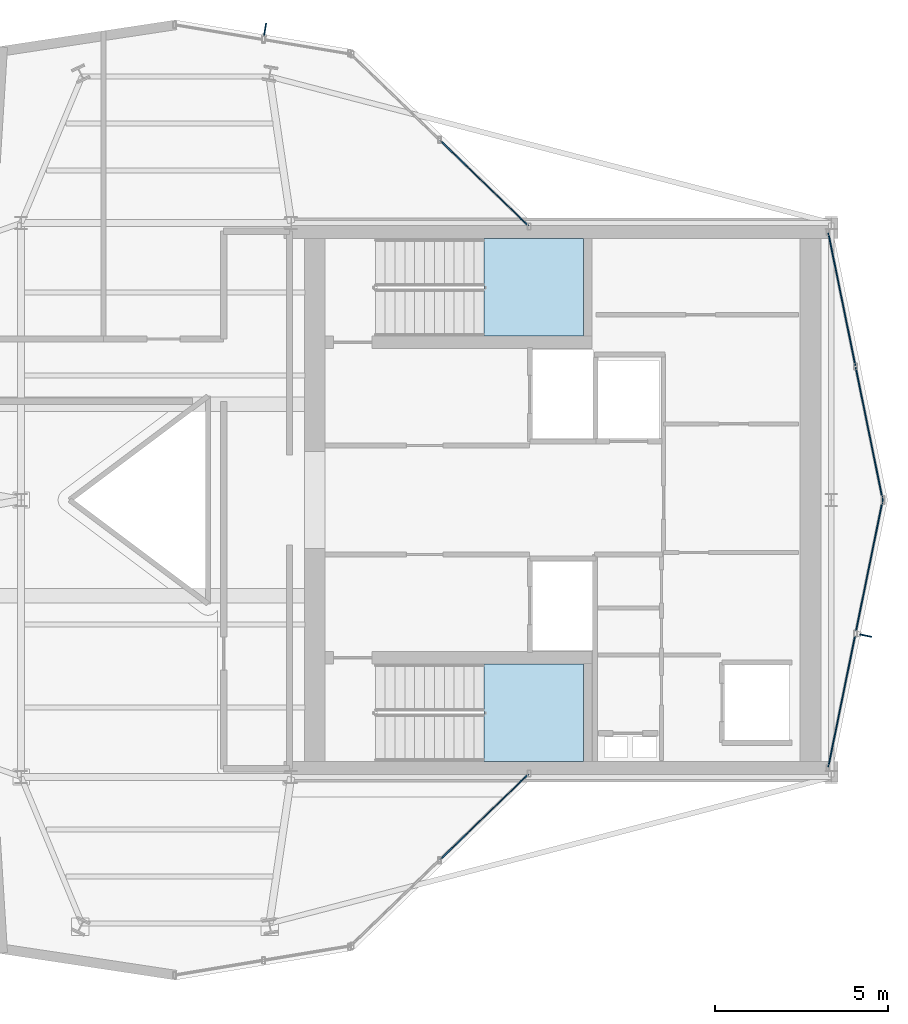
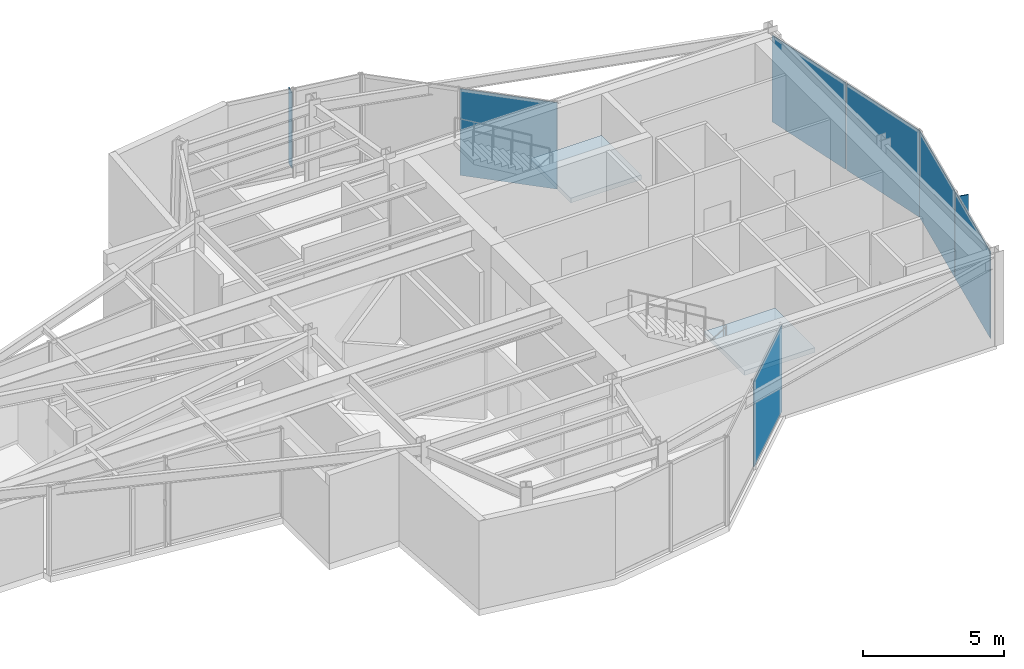
# One storey, part 12 of 18: 8 plates, 2 slabs, 6 elements without a shape of their own.
"""IFC4 building model written with IfcOpenShell, lengths in metres."""

import ifcopenshell
import ifcopenshell.guid

model = None  # the IFC model being written
_history = None  # IfcOwnerHistory: only IFC2X3 demands one
_inside = {}  # id of a spatial element -> (the spatial element, [elements in it])
_under = {}  # id of a project, library or spatial element -> (it, [spatial elements below it])
_declared = {}  # id of a project -> (the project, [libraries it declares])
_typed = {}  # id of a type object -> (the type object, [elements of that type])
_made_of = {}  # id of a material, layer set ... -> (it, [elements and type objects made of it])


def new_model(schema):
    """Start an empty IFC model of exactly this schema.

    Asked for "IFC4X3", IfcOpenShell would pick the latest addendum, in which some entities
    have other attributes; the version numbers below select the first issue.
    IFC2X3 requires an IfcOwnerHistory on every rooted entity: one is made here for all.
    """
    global model, _history
    if schema == "IFC4X3":
        model = ifcopenshell.file(schema_version=(4, 3, 0, 0))
    else:
        model = ifcopenshell.file(schema=schema)
    _inside.clear()
    _under.clear()
    _declared.clear()
    _typed.clear()
    _made_of.clear()
    _history = None
    if model.schema == "IFC2X3":
        org = make("IfcOrganization", Name="unknown")
        user = make(
            "IfcPersonAndOrganization",
            ThePerson=make("IfcPerson", FamilyName="unknown"),
            TheOrganization=org,
        )
        app = make(
            "IfcApplication",
            ApplicationDeveloper=org,
            Version="unknown",
            ApplicationFullName="unknown",
            ApplicationIdentifier="unknown",
        )
        _history = make(
            "IfcOwnerHistory",
            OwningUser=user,
            OwningApplication=app,
            ChangeAction="ADDED",
            CreationDate=0,
        )
    return model


def make(cls, **values):
    """One entity of the class cls with the attributes given. An attribute that is None is left unset."""
    return model.create_entity(
        cls, **{name: value for name, value in values.items() if value is not None}
    )


def rooted(cls, **values):
    """An entity with a GlobalId (a new one), such as an element, a storey or a relation."""
    return make(cls, GlobalId=ifcopenshell.guid.new(), OwnerHistory=_history, **values)


def si_unit(unit_type, name, prefix=None):
    """IfcSIUnit, for example si_unit("LENGTHUNIT", "METRE", prefix="MILLI")."""
    return make("IfcSIUnit", UnitType=unit_type, Prefix=prefix, Name=name)


def assignment(units):
    """IfcUnitAssignment: the units of a project."""
    return None if units is None else make("IfcUnitAssignment", Units=units)


def point(xyz):
    """IfcCartesianPoint."""
    return None if xyz is None else make("IfcCartesianPoint", Coordinates=xyz)


def direction(xyz):
    """IfcDirection."""
    return None if xyz is None else make("IfcDirection", DirectionRatios=xyz)


def frame(location, z_axis=None, x_axis=None):
    """IfcAxis2Placement3D, a coordinate frame: its origin and axes. An axis left out is left unset."""
    return make(
        "IfcAxis2Placement3D",
        Location=point(location),
        Axis=direction(z_axis),
        RefDirection=direction(x_axis),
    )


def frame_2d(location, x_axis=None):
    """IfcAxis2Placement2D, a coordinate frame in the plane: its origin and x axis."""
    return make(
        "IfcAxis2Placement2D", Location=point(location), RefDirection=direction(x_axis)
    )


def origin():
    """The frame at (0, 0, 0) with its axes left unset."""
    return frame((0.0, 0.0, 0.0))


def origin_2d():
    """The frame at (0, 0) in the plane with its x axis left unset."""
    return frame_2d((0.0, 0.0))


def place(relative_to, where):
    """IfcLocalPlacement: puts the frame where relative to a parent placement (None: the world)."""
    return make(
        "IfcLocalPlacement", PlacementRelTo=relative_to, RelativePlacement=where
    )


def context(
    kind, dimensions, precision=None, world=None, true_north=None, identifier=None
):
    """IfcGeometricRepresentationContext, for example the 3D "Model" context."""
    return make(
        "IfcGeometricRepresentationContext",
        ContextIdentifier=identifier,
        ContextType=kind,
        CoordinateSpaceDimension=dimensions,
        Precision=precision,
        WorldCoordinateSystem=world,
        TrueNorth=true_north,
    )


def subcontext(parent, identifier, kind, view, scale=None):
    """IfcGeometricRepresentationSubContext, for example "Body" below "Model"."""
    return make(
        "IfcGeometricRepresentationSubContext",
        ContextIdentifier=identifier,
        ContextType=kind,
        ParentContext=parent,
        TargetScale=scale,
        TargetView=view,
    )


def project(units=None, contexts=None):
    """IfcProject with its units and contexts."""
    return rooted(
        "IfcProject",
        Name="project",
        RepresentationContexts=contexts,
        UnitsInContext=assignment(units),
    )


def spatial(cls, under=None, at=None, **own):
    """A site, building, storey or space (cls), placed at a placement, below another one or the project."""
    s = rooted(cls, ObjectPlacement=at, **own)
    if under is not None:
        _under.setdefault(under.id(), (under, []))[1].append(s)
    return s


def polyline(points):
    """IfcPolyline through the points."""
    return make("IfcPolyline", Points=[point(p) for p in points])


def profile(cls, at=None, kind="AREA", **sizes):
    """A parametric profile (cls). Its sizes go by their IFC names, for example OverallWidth=200.0."""
    return make(cls, ProfileType=kind, Position=at, **sizes)


def rectangle(**sizes):
    """IfcRectangleProfileDef."""
    return profile("IfcRectangleProfileDef", **sizes)


def outline(outer, holes=None, kind="AREA"):
    """IfcArbitraryClosedProfileDef: a profile drawn as a closed curve; with holes, ...WithVoids."""
    if holes is None:
        return make("IfcArbitraryClosedProfileDef", ProfileType=kind, OuterCurve=outer)
    return make(
        "IfcArbitraryProfileDefWithVoids",
        ProfileType=kind,
        OuterCurve=outer,
        InnerCurves=holes,
    )


def extrude(swept, where, along, depth):
    """IfcExtrudedAreaSolid: the profile swept, set in the frame where, extruded along a direction by depth."""
    return make(
        "IfcExtrudedAreaSolid",
        SweptArea=swept,
        Position=where,
        ExtrudedDirection=direction(along),
        Depth=depth,
    )


def shape(context_of_items, identifier, shape_type, items):
    """IfcShapeRepresentation: the items that make up one representation, for example the "Body"."""
    return make(
        "IfcShapeRepresentation",
        ContextOfItems=context_of_items,
        RepresentationIdentifier=identifier,
        RepresentationType=shape_type,
        Items=items,
    )


def material(Name=None, Category=None):
    """IfcMaterial."""
    return make("IfcMaterial", Name=Name, Category=Category)


def layer(
    of_material, thickness, ventilated=None, Name=None, Category=None, Priority=None
):
    """IfcMaterialLayer: one layer of a wall or slab, of a material (None: an air gap)."""
    return make(
        "IfcMaterialLayer",
        Material=of_material,
        LayerThickness=thickness,
        IsVentilated=ventilated,
        Name=Name,
        Category=Category,
        Priority=Priority,
    )


def layer_set(layers, Name=None):
    """IfcMaterialLayerSet."""
    return make("IfcMaterialLayerSet", MaterialLayers=layers, LayerSetName=Name)


def made_of(thing, what):
    """Note that an element or type object is made of a material, layer set ...; save() writes the relation."""
    if what is not None:
        _made_of.setdefault(what.id(), (what, []))[1].append(thing)
    return thing


def type_object(cls, material=None, **own):
    """A type object (cls), such as IfcWallType, which elements share."""
    return made_of(rooted(cls, **own), material)


def element(
    cls,
    number,
    at=None,
    inside=None,
    cuts=None,
    type_object=None,
    material=None,
    context=None,
    identifier="Body",
    shape_type=None,
    held_by="IfcProductDefinitionShape",
    body=None,
    shapes=None,
    **own,
):
    """One element of the class cls, such as IfcWall. Its Tag is "e" and its number.

    at: its placement. inside: the storey or other place that contains it. cuts: it is an
    opening in that element (IfcRelVoidsElement). A single representation is given by context,
    identifier, shape_type and body (its items); several are given by shapes. held_by: the class
    of the entity that holds the representations. save() writes the other relations.
    """
    e = rooted(cls, Tag="e%d" % number, ObjectPlacement=at, **own)
    if body is not None:
        shapes = [shape(context, identifier, shape_type, body)]
    if shapes is not None:
        e.Representation = make(held_by, Representations=shapes)
    if inside is not None:
        _inside.setdefault(inside.id(), (inside, []))[1].append(e)
    if cuts is not None:
        rooted(
            "IfcRelVoidsElement", RelatingBuildingElement=cuts, RelatedOpeningElement=e
        )
    if type_object is not None:
        _typed.setdefault(type_object.id(), (type_object, []))[1].append(e)
    return made_of(e, material)


def aggregate(whole, parts):
    """IfcRelAggregates: a whole, such as a stair, and the parts it consists of."""
    return rooted("IfcRelAggregates", RelatingObject=whole, RelatedObjects=parts)


def save(model, path):
    """Write the relations noted so far, then the file.

    IfcRelAggregates (storeys below a building ...), IfcRelContainedInSpatialStructure (elements
    in a storey), IfcRelDefinesByType, IfcRelAssociatesMaterial and IfcRelDeclares: one each for
    every whole, place, type object, material and project.
    """
    for whole, parts in _under.values():
        aggregate(whole, parts)
    for where, things in _inside.values():
        rooted(
            "IfcRelContainedInSpatialStructure",
            RelatedElements=things,
            RelatingStructure=where,
        )
    for kind, things in _typed.values():
        rooted("IfcRelDefinesByType", RelatedObjects=things, RelatingType=kind)
    for what, things in _made_of.values():
        rooted("IfcRelAssociatesMaterial", RelatedObjects=things, RelatingMaterial=what)
    for by, libraries in _declared.values():
        rooted("IfcRelDeclares", RelatingContext=by, RelatedDefinitions=libraries)
    model.write(path)


model = new_model("IFC4")

# Units and contexts
model_context = context("Model", 3, precision=1e-05, world=origin(), true_north=direction((0.0, 1.0)))
body_context = subcontext(model_context, "Body", "Model", "MODEL_VIEW")
ifc_project = project(units=[si_unit("LENGTHUNIT", "METRE"), si_unit("AREAUNIT", "SQUARE_METRE"), si_unit("VOLUMEUNIT", "CUBIC_METRE"), si_unit("PLANEANGLEUNIT", "RADIAN"), si_unit("MASSUNIT", "GRAM", prefix="KILO")], contexts=[model_context])

# Site, building, storey
site_placement = place(None, origin())
site = spatial("IfcSite", under=ifc_project, at=site_placement, CompositionType="ELEMENT")
building_placement = place(site_placement, origin())
building = spatial("IfcBuilding", under=site, at=building_placement, Name="Veymaron Broadcast Tower", CompositionType="ELEMENT")
storey_placement = place(building_placement, frame((0.0, 0.0, 319.5)))
storey = spatial("IfcBuildingStorey", under=building, at=storey_placement, Name="L75", CompositionType="ELEMENT", Elevation=319.5)

# Curtain wall, plate
ifc_material_1 = material(Name="Anodised aluminium AA 6063-T6 and laminated low-E dark glass", Category="aluminium")
ifc_layer_1 = layer(ifc_material_1, 0.179931640625)
ifc_layer_set_1 = layer_set([ifc_layer_1], Name="Anodised aluminium AA 6063-T6 and laminated low-E dark glass")
curtain_wall_type = type_object("IfcCurtainWallType", Name="CW-SYS-07", PredefinedType="NOTDEFINED", material=ifc_layer_set_1)
curtain_wall_1_placement = place(storey_placement, origin())
curtain_wall_1 = element("IfcCurtainWall", 1, at=curtain_wall_1_placement, inside=storey, type_object=curtain_wall_type, Name="L75 dark-glass curtain wall CW-L75-E8-1", PredefinedType="NOTDEFINED")
ifc_material_2 = material(Name="Triple-laminated solar-control dark glass IGU 36 mm", Category="glass")
ifc_layer_2 = layer(ifc_material_2, 0.035888671875)
ifc_layer_set_2 = layer_set([ifc_layer_2], Name="Triple-laminated solar-control dark glass IGU 36 mm")
plate_type_1 = type_object("IfcPlateType", Name="CW-PNL-01", PredefinedType="CURTAIN_PANEL", material=ifc_layer_set_2)
plate_1_placement = place(storey_placement, frame((44.578369140625, 14.847900390625, 0.0400390625), z_axis=(0.0, 0.0, 1.0), x_axis=(0.719097275004, 0.694909425092, 0.0)))
plate_1 = element("IfcPlate", 2, at=plate_1_placement, type_object=plate_type_1, Name="CW-L75-E8-1 unitised curtain panel 1", PredefinedType="CURTAIN_PANEL", context=body_context, shape_type="SweptSolid", body=[
    extrude(rectangle(XDim=3.545654296875, YDim=0.035888671875, at=origin_2d()), origin(), (0.0, 0.0, 1.0), 3.72998046875),
])
aggregate(curtain_wall_1, [plate_1])

# Curtain wall, plates
curtain_wall_2_placement = place(storey_placement, origin())
curtain_wall_2 = element("IfcCurtainWall", 3, at=curtain_wall_2_placement, inside=storey, type_object=curtain_wall_type, Name="L75 dark-glass curtain wall CW-L75-E10-1", PredefinedType="NOTDEFINED")
plate_2_placement = place(storey_placement, frame((54.905517578125, 18.200927734375, 0.0400390625), z_axis=(0.0, 0.0, 1.0), x_axis=(0.199607369238, 0.979875960592, 0.0)))
plate_2 = element("IfcPlate", 4, at=plate_2_placement, type_object=plate_type_1, Name="CW-L75-E10-1 unitised curtain panel 0", PredefinedType="CURTAIN_PANEL", context=body_context, shape_type="SweptSolid", body=[
    extrude(rectangle(XDim=3.904296875, YDim=0.035888671875, at=origin_2d()), origin(), (0.0, 0.0, 1.0), 3.72998046875),
])
plate_3_placement = place(storey_placement, frame((55.69677734375, 22.085693359375, 0.0400390625), z_axis=(0.0, 0.0, 1.0), x_axis=(0.199607369238, 0.979875960592, 0.0)))
plate_3 = element("IfcPlate", 5, at=plate_3_placement, type_object=plate_type_1, Name="CW-L75-E10-1 unitised curtain panel 1", PredefinedType="CURTAIN_PANEL", context=body_context, shape_type="SweptSolid", body=[
    extrude(rectangle(XDim=3.904296875, YDim=0.035888671875, at=origin_2d()), origin(), (0.0, 0.0, 1.0), 3.72998046875),
])
aggregate(curtain_wall_2, [plate_2, plate_3])

curtain_wall_3_placement = place(storey_placement, origin())
curtain_wall_3 = element("IfcCurtainWall", 6, at=curtain_wall_3_placement, inside=storey, type_object=curtain_wall_type, Name="L75 dark-glass curtain wall CW-L75-E11-1", PredefinedType="NOTDEFINED")
plate_4_placement = place(storey_placement, frame((55.69677734375, 25.914306640625, 0.0400390625), z_axis=(0.0, 0.0, 1.0), x_axis=(-0.199607369238, 0.979875960592, 0.0)))
plate_4 = element("IfcPlate", 7, at=plate_4_placement, type_object=plate_type_1, Name="CW-L75-E11-1 unitised curtain panel 0", PredefinedType="CURTAIN_PANEL", context=body_context, shape_type="SweptSolid", body=[
    extrude(rectangle(XDim=3.904296875, YDim=0.035888671875, at=origin_2d()), origin(), (0.0, 0.0, 1.0), 3.72998046875),
])
plate_5_placement = place(storey_placement, frame((54.905517578125, 29.799072265625, 0.0400390625), z_axis=(0.0, 0.0, 1.0), x_axis=(-0.199607369238, 0.979875960592, 0.0)))
plate_5 = element("IfcPlate", 8, at=plate_5_placement, type_object=plate_type_1, Name="CW-L75-E11-1 unitised curtain panel 1", PredefinedType="CURTAIN_PANEL", context=body_context, shape_type="SweptSolid", body=[
    extrude(rectangle(XDim=3.904296875, YDim=0.035888671875, at=origin_2d()), origin(), (0.0, 0.0, 1.0), 3.72998046875),
])
aggregate(curtain_wall_3, [plate_4, plate_5])

# Curtain wall, plate
curtain_wall_4_placement = place(storey_placement, origin())
curtain_wall_4 = element("IfcCurtainWall", 9, at=curtain_wall_4_placement, inside=storey, type_object=curtain_wall_type, Name="L75 dark-glass curtain wall CW-L75-E13-1", PredefinedType="NOTDEFINED")
plate_6_placement = place(storey_placement, frame((44.578369140625, 33.152099609375, 0.0400390625), z_axis=(0.0, 0.0, 1.0), x_axis=(-0.719097275004, 0.694909425092, 0.0)))
plate_6 = element("IfcPlate", 10, at=plate_6_placement, type_object=plate_type_1, Name="CW-L75-E13-1 unitised curtain panel 0", PredefinedType="CURTAIN_PANEL", context=body_context, shape_type="SweptSolid", body=[
    extrude(rectangle(XDim=3.545654296875, YDim=0.035888671875, at=origin_2d()), origin(), (0.0, 0.0, 1.0), 3.72998046875),
])
aggregate(curtain_wall_4, [plate_6])

# Plates
ifc_material_3 = material(Name="Dark-anodised aluminium AA 6061-T6", Category="aluminium")
ifc_layer_3 = layer(ifc_material_3, 0.030029296875)
ifc_layer_set_3 = layer_set([ifc_layer_3], Name="Dark-anodised aluminium AA 6061-T6")
plate_type_2 = type_object("IfcPlateType", Name="FIN-CHEV-02", PredefinedType="USERDEFINED", material=ifc_layer_set_3)
for number, where, z_axis, x_axis, name in (
    (11, (55.60009765625, 20.08251953125, 0.2666015625), (0.0, 0.0, 1.0), (0.979875960592, -0.199607369238, 0.0), "CW-L75-E10-1 chevron fin 1"),
    (12, (38.248779296875, 37.600830078125, 0.2666015625), (0.0, 0.0, 1.0), (0.164152413592, 0.986434987778, 0.0), "CW-L75-E14-1 chevron fin 1"),
):
    element("IfcPlate", number, at=place(storey_placement, frame(where, z_axis=z_axis, x_axis=x_axis)), inside=storey, type_object=plate_type_2, Name=name, ObjectType="FIN", PredefinedType="USERDEFINED", context=body_context, shape_type="SweptSolid", body=[
        extrude(rectangle(XDim=0.35009765625, YDim=0.034912109375, at=origin_2d()), origin(), (0.0, 0.0, 1.0), 3.276611328125),
    ])

# Stair, slab
ifc_material_4 = material(Name="Concrete C50/60", Category="concrete")
stair_type_1 = type_object("IfcStairType", Name="STAIR-CORE-1", PredefinedType="HALF_TURN_STAIR", material=ifc_material_4)
stair_1_placement = place(storey_placement, origin())
stair_1 = element("IfcStair", 13, at=stair_1_placement, inside=storey, type_object=stair_type_1, Name="L75 North protected dog-leg exit stair ST1", PredefinedType="HALF_TURN_STAIR")
ifc_layer_4 = layer(ifc_material_4, 0.199951171875)
ifc_layer_set_4 = layer_set([ifc_layer_4], Name="Concrete C50/60")
slab_type = type_object("IfcSlabType", Name="SLAB-STAIR-LDG", PredefinedType="LANDING", material=ifc_layer_set_4)
slab_1_placement = place(storey_placement, frame((0.0, 0.0, 1.824951171875)))
slab_1 = element("IfcSlab", 14, at=slab_1_placement, type_object=slab_type, Name="ST1 landing 1", PredefinedType="LANDING", context=body_context, shape_type="SweptSolid", body=[
    extrude(outline(polyline([(44.56494140625, 28.72998046875), (47.43994140625, 28.72998046875), (47.43994140625, 31.550048828125), (44.56494140625, 31.550048828125), (44.56494140625, 28.72998046875)])), origin(), (0.0, 0.0, 1.0), 0.199951171875),
])
aggregate(stair_1, [slab_1])

stair_type_2 = type_object("IfcStairType", Name="STAIR-CORE-2", PredefinedType="HALF_TURN_STAIR", material=ifc_material_4)
stair_2_placement = place(storey_placement, origin())
stair_2 = element("IfcStair", 15, at=stair_2_placement, inside=storey, type_object=stair_type_2, Name="L75 South protected dog-leg exit stair ST2", PredefinedType="HALF_TURN_STAIR")
slab_2_placement = place(storey_placement, frame((0.0, 0.0, 1.824951171875)))
slab_2 = element("IfcSlab", 16, at=slab_2_placement, type_object=slab_type, Name="ST2 landing 1", PredefinedType="LANDING", context=body_context, shape_type="SweptSolid", body=[
    extrude(outline(polyline([(44.56494140625, 16.449951171875), (47.43994140625, 16.449951171875), (47.43994140625, 19.27001953125), (44.56494140625, 19.27001953125), (44.56494140625, 16.449951171875)])), origin(), (0.0, 0.0, 1.0), 0.199951171875),
])
aggregate(stair_2, [slab_2])

save(model, "model.ifc")
